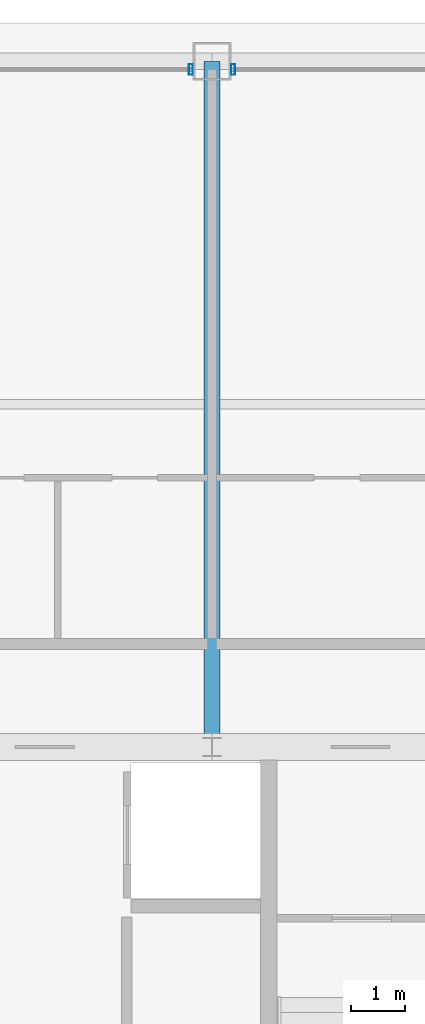
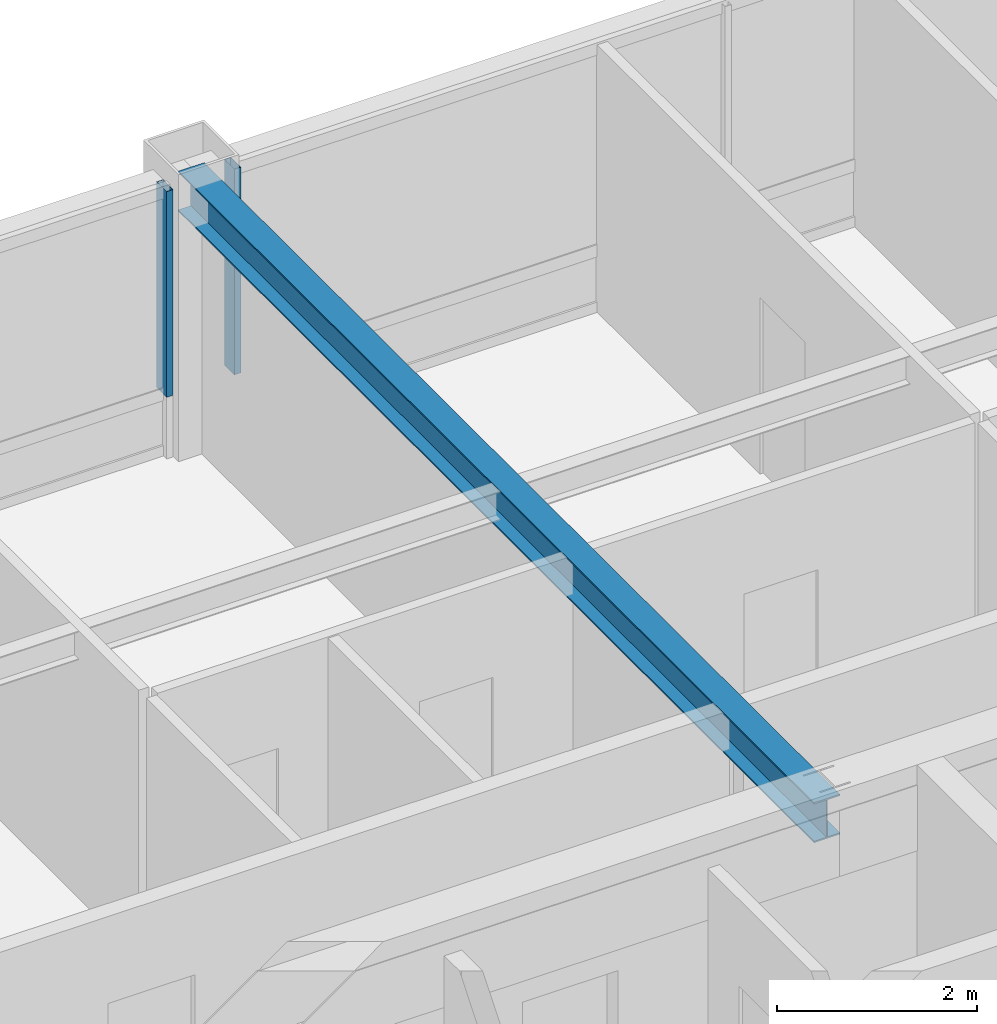
# One storey, part 17 of 35: 2 members, 1 beam, 2 elements without a shape of their own.
"""IFC4 building model written with IfcOpenShell, lengths in metres."""

from ifc_helpers import new_model, si_unit, direction, frame, origin, origin_2d, place, context, subcontext, project, spatial, hollow_rectangle, i_section, extrude, source, transform, mapped, material, layer, layer_set, material_profile, profile_set, type_object, element, aggregate, save


model = new_model("IFC4")

# Units and contexts
model_context = context("Model", 3, precision=1e-05, world=origin(), true_north=direction((0.0, 1.0)))
body_context = subcontext(model_context, "Body", "Model", "MODEL_VIEW")
ifc_project = project(units=[si_unit("LENGTHUNIT", "METRE"), si_unit("AREAUNIT", "SQUARE_METRE"), si_unit("VOLUMEUNIT", "CUBIC_METRE"), si_unit("PLANEANGLEUNIT", "RADIAN"), si_unit("MASSUNIT", "GRAM", prefix="KILO"), si_unit("THERMODYNAMICTEMPERATUREUNIT", "KELVIN"), si_unit("POWERUNIT", "WATT")], contexts=[model_context])

# Site, building, storey
site_placement = place(None, origin())
site = spatial("IfcSite", under=ifc_project, at=site_placement, CompositionType="ELEMENT")
building_placement = place(site_placement, origin())
building = spatial("IfcBuilding", under=site, at=building_placement, Name="Yuzanri Waterfront Tower", CompositionType="ELEMENT")
storey_placement = place(building_placement, frame((0.0, 0.0, 335.699951171875)))
storey = spatial("IfcBuildingStorey", under=building, at=storey_placement, Name="L90", CompositionType="ELEMENT", Elevation=335.699951171875)

# Beam
ifc_material_1 = material(Name="Steel Q355B", Category="steel")
ifc_material_profile_1 = material_profile(ifc_material_1, i_section(OverallWidth=0.300048828125, OverallDepth=0.488037109375, WebThickness=0.010986328125, FlangeThickness=0.01806640625, at=origin_2d()), Name="HM 488x300x11x18")
ifc_profile_set_1 = profile_set([ifc_material_profile_1], Name="Steel Q355B")
beam_type = type_object("IfcBeamType", Name="Primary Floor Girder Q355B HM 488x300", PredefinedType="BEAM", material=ifc_profile_set_1)
shared_shape_1 = source(origin(), body_context, "Body", "SweptSolid", [
    extrude(i_section(OverallWidth=0.300048828125, OverallDepth=0.488037109375, WebThickness=0.010986328125, FlangeThickness=0.01806640625, at=origin_2d()), origin(), (0.0, 0.0, 1.0), 12.699951171875),
])
beam_placement = place(storey_placement, frame((37.0, 32.199951171875, 3.01611328125), z_axis=(0.0, 1.0, 0.0), x_axis=(-1.0, 0.0, 0.0)))
element("IfcBeam", 1, at=beam_placement, inside=storey, type_object=beam_type, Name="L90 North Grid Girder", PredefinedType="BEAM", context=body_context, shape_type="MappedRepresentation", body=[
    mapped(shared_shape_1, transform((0.0, 0.0, 0.0), scale=1.0)),
])

# Curtain wall, member
ifc_material_2 = material(Name="Anodized Architectural Bronze", Category="metal")
ifc_layer = layer(ifc_material_2, 0.159912109375)
ifc_layer_set = layer_set([ifc_layer], Name="Anodized Architectural Bronze")
curtain_wall_type = type_object("IfcCurtainWallType", Name="Anodized Bronze High-Rise Penthouse High-Wind Unitized Curtain Wall 6900", PredefinedType="NOTDEFINED", material=ifc_layer_set)
curtain_wall_1_placement = place(storey_placement, origin())
curtain_wall_1 = element("IfcCurtainWall", 2, at=curtain_wall_1_placement, inside=storey, type_object=curtain_wall_type, Name="L90 Curtain Wall CW-L90-NL", PredefinedType="NOTDEFINED")
ifc_material_3 = material(Name="Anodized Architectural Bronze", Category="metal")
ifc_material_profile_2 = material_profile(ifc_material_3, hollow_rectangle(XDim=0.074951171875, YDim=0.199951171875, WallThickness=0.00390625, at=origin_2d()), Name="CWM 75x200")
ifc_profile_set_2 = profile_set([ifc_material_profile_2], Name="Anodized Architectural Bronze")
member_type = type_object("IfcMemberType", Name="Anodized Bronze Primary Curtain-Wall Mullion 75x200", PredefinedType="MULLION", material=ifc_profile_set_2)
shared_shape_2 = source(origin(), body_context, "Body", "SweptSolid", [
    extrude(hollow_rectangle(XDim=0.074951171875, YDim=0.199951171875, WallThickness=0.00390625, at=origin_2d()), origin(), (0.0, 0.0, 1.0), 2.508056640625),
])
member_1_placement = place(storey_placement, frame((36.610107421875, 44.75, 0.751953125), z_axis=(0.0, 0.0, 1.0), x_axis=(1.0, 0.0, 0.0)))
member_1 = element("IfcMember", 3, at=member_1_placement, type_object=member_type, Name="CW-L90-NL Upper Mullion 02", PredefinedType="MULLION", context=body_context, shape_type="MappedRepresentation", body=[
    mapped(shared_shape_2, transform((0.0, 0.0, 0.0), scale=1.0)),
])
aggregate(curtain_wall_1, [member_1])

curtain_wall_2_placement = place(storey_placement, origin())
curtain_wall_2 = element("IfcCurtainWall", 4, at=curtain_wall_2_placement, inside=storey, type_object=curtain_wall_type, Name="L90 Curtain Wall CW-L90-NR", PredefinedType="NOTDEFINED")
member_2_placement = place(storey_placement, frame((37.389892578125, 44.75, 0.751953125), z_axis=(0.0, 0.0, 1.0), x_axis=(1.0, 0.0, 0.0)))
member_2 = element("IfcMember", 5, at=member_2_placement, type_object=member_type, Name="CW-L90-NR Upper Mullion 00", PredefinedType="MULLION", context=body_context, shape_type="MappedRepresentation", body=[
    mapped(shared_shape_2, transform((0.0, 0.0, 0.0), scale=1.0)),
])
aggregate(curtain_wall_2, [member_2])

save(model, "model.ifc")
